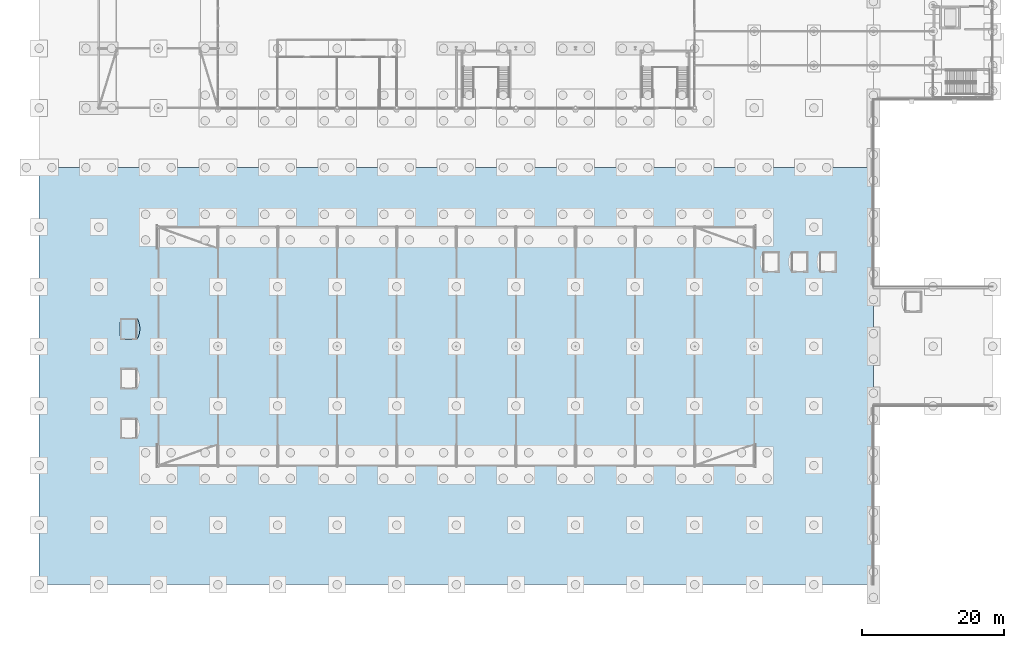
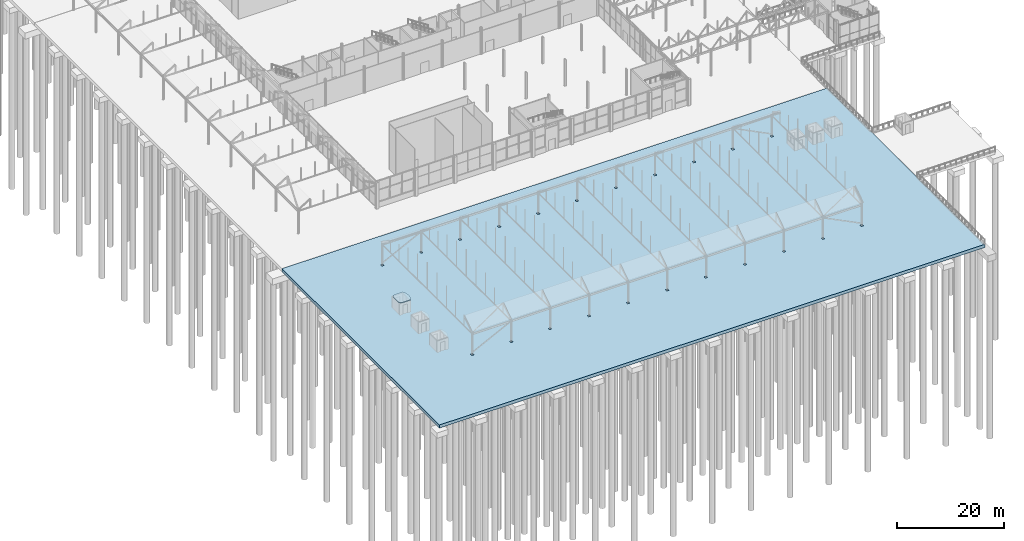
# One storey, part 169 of 212: 2 slabs.
"""IFC4 building model written with IfcOpenShell, lengths in metres."""

from ifc_helpers import new_model, si_unit, direction, frame, origin, place, context, subcontext, project, spatial, polyline, outline, extrude, material, layer, layer_set, type_object, element, save


model = new_model("IFC4")

# Units and contexts
model_context = context("Model", 3, precision=1e-05, world=origin(), true_north=direction((0.0, 1.0)))
body_context = subcontext(model_context, "Body", "Model", "MODEL_VIEW")
ifc_project = project(units=[si_unit("LENGTHUNIT", "METRE"), si_unit("AREAUNIT", "SQUARE_METRE"), si_unit("VOLUMEUNIT", "CUBIC_METRE"), si_unit("PLANEANGLEUNIT", "RADIAN"), si_unit("MASSUNIT", "GRAM", prefix="KILO")], contexts=[model_context])

# Site, building, storey
site_placement = place(None, origin())
site = spatial("IfcSite", under=ifc_project, at=site_placement, CompositionType="ELEMENT")
building_placement = place(site_placement, origin())
building = spatial("IfcBuilding", under=site, at=building_placement, Name="Catenary Quay Ferry Terminal", CompositionType="ELEMENT")
storey_placement = place(building_placement, origin())
storey = spatial("IfcBuildingStorey", under=building, at=storey_placement, Name="L00", CompositionType="ELEMENT", Elevation=0.0)

# Slabs
ifc_material_1 = material(Name="Concrete C35/45", Category="concrete")
ifc_layer_1 = layer(ifc_material_1, 0.14990234375)
ifc_layer_set_1 = layer_set([ifc_layer_1], Name="BR1")
slab_type_1 = type_object("IfcSlabType", Name="BR1", PredefinedType="ROOF", material=ifc_layer_set_1)
slab_1_placement = place(storey_placement, frame((0.0, 0.0, 2.64990234375)))
element("IfcSlab", 1, at=slab_1_placement, inside=storey, type_object=slab_type_1, Name="Booth roof slab BR1", PredefinedType="ROOF", context=body_context, shape_type="SweptSolid", body=[
    extrude(outline(polyline([(13.800048828125, 34.550048828125), (13.972900390625, 34.902099609375), (14.098388671875, 35.273681640625), (14.174560546875, 35.65869140625), (14.199951171875, 36.050048828125), (14.174560546875, 36.44140625), (14.098388671875, 36.826171875), (13.972900390625, 37.19775390625), (13.800048828125, 37.550048828125), (12.0, 37.550048828125), (11.699951171875, 37.469482421875), (11.48046875, 37.25), (11.39990234375, 36.949951171875), (11.39990234375, 35.14990234375), (11.48046875, 34.85009765625), (11.699951171875, 34.63037109375), (12.0, 34.550048828125), (13.800048828125, 34.550048828125)])), origin(), (0.0, 0.0, 1.0), 0.150146484375),
])
ifc_material_2 = material(Name="Concrete C35/45", Category="concrete")
ifc_layer_2 = layer(ifc_material_2, 0.699951171875)
ifc_layer_set_2 = layer_set([ifc_layer_2], Name="Quay deck slab 700")
slab_type_2 = type_object("IfcSlabType", Name="Quay deck slab 700", PredefinedType="BASESLAB", material=ifc_layer_set_2)
slab_2_placement = place(storey_placement, frame((0.0, 0.0, -0.699951171875)))
element("IfcSlab", 2, at=slab_2_placement, inside=storey, type_object=slab_type_2, Name="Quay deck panel P1 south", PredefinedType="BASESLAB", context=body_context, shape_type="SweptSolid", body=[
    extrude(outline(polyline([(0.0, 0.0), (0.0, 58.784912109375), (117.60009765625, 58.784912109375), (117.60009765625, 0.0), (0.0, 0.0)]), holes=[polyline([(17.03857421875, 17.03857421875), (16.5615234375, 17.03857421875), (16.5615234375, 16.5615234375), (17.03857421875, 16.5615234375), (17.03857421875, 17.03857421875)]), polyline([(25.4384765625, 17.03857421875), (24.96142578125, 17.03857421875), (24.96142578125, 16.5615234375), (25.4384765625, 16.5615234375), (25.4384765625, 17.03857421875)]), polyline([(33.83837890625, 17.03857421875), (33.361572265625, 17.03857421875), (33.361572265625, 16.5615234375), (33.83837890625, 16.5615234375), (33.83837890625, 17.03857421875)]), polyline([(42.238525390625, 16.5615234375), (42.238525390625, 17.03857421875), (41.761474609375, 17.03857421875), (41.761474609375, 16.5615234375), (42.238525390625, 16.5615234375)]), polyline([(50.638427734375, 16.5615234375), (50.638427734375, 17.03857421875), (50.16162109375, 17.03857421875), (50.16162109375, 16.5615234375), (50.638427734375, 16.5615234375)]), polyline([(17.03857421875, 50.638427734375), (16.5615234375, 50.638427734375), (16.5615234375, 50.16162109375), (17.03857421875, 50.16162109375), (17.03857421875, 50.638427734375)]), polyline([(25.4384765625, 50.16162109375), (25.4384765625, 50.638427734375), (24.96142578125, 50.638427734375), (24.96142578125, 50.16162109375), (25.4384765625, 50.16162109375)]), polyline([(33.83837890625, 50.16162109375), (33.83837890625, 50.638427734375), (33.361572265625, 50.638427734375), (33.361572265625, 50.16162109375), (33.83837890625, 50.16162109375)]), polyline([(42.238525390625, 50.638427734375), (41.761474609375, 50.638427734375), (41.761474609375, 50.16162109375), (42.238525390625, 50.16162109375), (42.238525390625, 50.638427734375)]), polyline([(50.638427734375, 50.16162109375), (50.638427734375, 50.638427734375), (50.16162109375, 50.638427734375), (50.16162109375, 50.16162109375), (50.638427734375, 50.16162109375)]), polyline([(59.03857421875, 50.16162109375), (59.03857421875, 50.638427734375), (58.5615234375, 50.638427734375), (58.5615234375, 50.16162109375), (59.03857421875, 50.16162109375)]), polyline([(59.03857421875, 17.03857421875), (58.5615234375, 17.03857421875), (58.5615234375, 16.5615234375), (59.03857421875, 16.5615234375), (59.03857421875, 17.03857421875)]), polyline([(67.4384765625, 17.03857421875), (66.96142578125, 17.03857421875), (66.96142578125, 16.5615234375), (67.4384765625, 16.5615234375), (67.4384765625, 17.03857421875)]), polyline([(75.83837890625, 17.03857421875), (75.361572265625, 17.03857421875), (75.361572265625, 16.5615234375), (75.83837890625, 16.5615234375), (75.83837890625, 17.03857421875)]), polyline([(84.238525390625, 16.5615234375), (84.238525390625, 17.03857421875), (83.761474609375, 17.03857421875), (83.761474609375, 16.5615234375), (84.238525390625, 16.5615234375)]), polyline([(92.638427734375, 16.5615234375), (92.638427734375, 17.03857421875), (92.16162109375, 17.03857421875), (92.16162109375, 16.5615234375), (92.638427734375, 16.5615234375)]), polyline([(101.03857421875, 17.03857421875), (100.5615234375, 17.03857421875), (100.5615234375, 16.5615234375), (101.03857421875, 16.5615234375), (101.03857421875, 17.03857421875)]), polyline([(67.4384765625, 50.16162109375), (67.4384765625, 50.638427734375), (66.96142578125, 50.638427734375), (66.96142578125, 50.16162109375), (67.4384765625, 50.16162109375)]), polyline([(75.83837890625, 50.16162109375), (75.83837890625, 50.638427734375), (75.361572265625, 50.638427734375), (75.361572265625, 50.16162109375), (75.83837890625, 50.16162109375)]), polyline([(84.238525390625, 50.638427734375), (83.761474609375, 50.638427734375), (83.761474609375, 50.16162109375), (84.238525390625, 50.16162109375), (84.238525390625, 50.638427734375)]), polyline([(92.638427734375, 50.16162109375), (92.638427734375, 50.638427734375), (92.16162109375, 50.638427734375), (92.16162109375, 50.16162109375), (92.638427734375, 50.16162109375)]), polyline([(101.03857421875, 50.16162109375), (101.03857421875, 50.638427734375), (100.5615234375, 50.638427734375), (100.5615234375, 50.16162109375), (101.03857421875, 50.16162109375)])]), origin(), (0.0, 0.0, 1.0), 0.699951171875),
])

save(model, "model.ifc")
